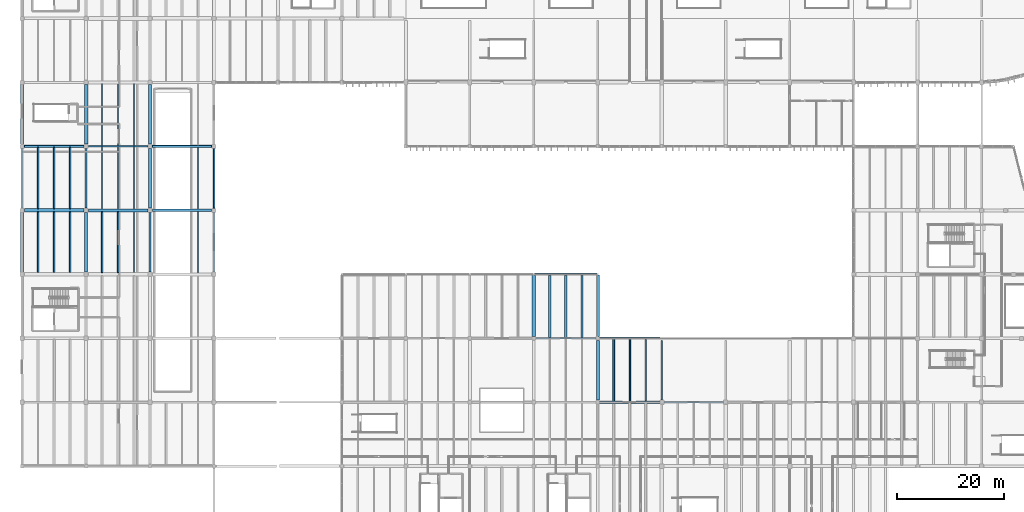
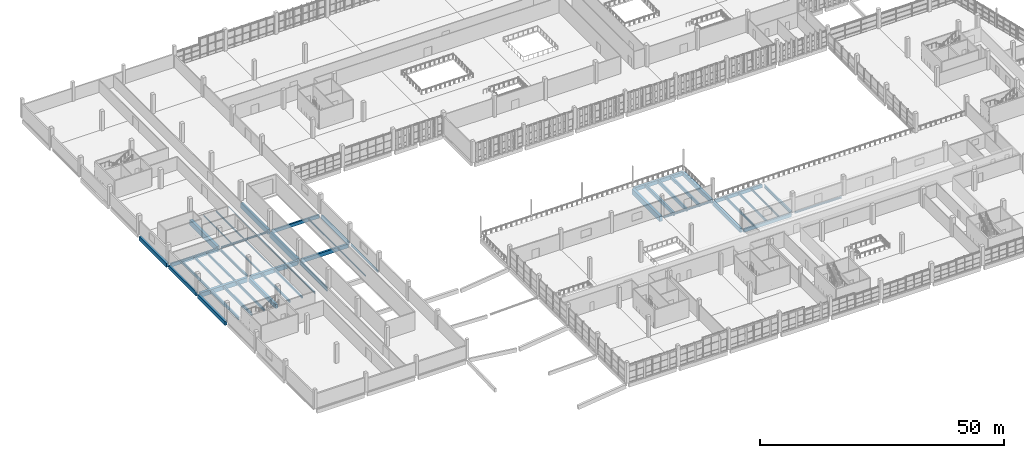
# One storey, part 25 of 112: 49 beams.
"""IFC4 building model written with IfcOpenShell, lengths in metres."""

import ifcopenshell
import ifcopenshell.guid

model = None  # the IFC model being written
_history = None  # IfcOwnerHistory: only IFC2X3 demands one
_inside = {}  # id of a spatial element -> (the spatial element, [elements in it])
_under = {}  # id of a project, library or spatial element -> (it, [spatial elements below it])
_declared = {}  # id of a project -> (the project, [libraries it declares])
_typed = {}  # id of a type object -> (the type object, [elements of that type])
_made_of = {}  # id of a material, layer set ... -> (it, [elements and type objects made of it])


def new_model(schema):
    """Start an empty IFC model of exactly this schema.

    Asked for "IFC4X3", IfcOpenShell would pick the latest addendum, in which some entities
    have other attributes; the version numbers below select the first issue.
    IFC2X3 requires an IfcOwnerHistory on every rooted entity: one is made here for all.
    """
    global model, _history
    if schema == "IFC4X3":
        model = ifcopenshell.file(schema_version=(4, 3, 0, 0))
    else:
        model = ifcopenshell.file(schema=schema)
    _inside.clear()
    _under.clear()
    _declared.clear()
    _typed.clear()
    _made_of.clear()
    _history = None
    if model.schema == "IFC2X3":
        org = make("IfcOrganization", Name="unknown")
        user = make(
            "IfcPersonAndOrganization",
            ThePerson=make("IfcPerson", FamilyName="unknown"),
            TheOrganization=org,
        )
        app = make(
            "IfcApplication",
            ApplicationDeveloper=org,
            Version="unknown",
            ApplicationFullName="unknown",
            ApplicationIdentifier="unknown",
        )
        _history = make(
            "IfcOwnerHistory",
            OwningUser=user,
            OwningApplication=app,
            ChangeAction="ADDED",
            CreationDate=0,
        )
    return model


def make(cls, **values):
    """One entity of the class cls with the attributes given. An attribute that is None is left unset."""
    return model.create_entity(
        cls, **{name: value for name, value in values.items() if value is not None}
    )


def rooted(cls, **values):
    """An entity with a GlobalId (a new one), such as an element, a storey or a relation."""
    return make(cls, GlobalId=ifcopenshell.guid.new(), OwnerHistory=_history, **values)


def si_unit(unit_type, name, prefix=None):
    """IfcSIUnit, for example si_unit("LENGTHUNIT", "METRE", prefix="MILLI")."""
    return make("IfcSIUnit", UnitType=unit_type, Prefix=prefix, Name=name)


def assignment(units):
    """IfcUnitAssignment: the units of a project."""
    return None if units is None else make("IfcUnitAssignment", Units=units)


def point(xyz):
    """IfcCartesianPoint."""
    return None if xyz is None else make("IfcCartesianPoint", Coordinates=xyz)


def direction(xyz):
    """IfcDirection."""
    return None if xyz is None else make("IfcDirection", DirectionRatios=xyz)


def frame(location, z_axis=None, x_axis=None):
    """IfcAxis2Placement3D, a coordinate frame: its origin and axes. An axis left out is left unset."""
    return make(
        "IfcAxis2Placement3D",
        Location=point(location),
        Axis=direction(z_axis),
        RefDirection=direction(x_axis),
    )


def frame_2d(location, x_axis=None):
    """IfcAxis2Placement2D, a coordinate frame in the plane: its origin and x axis."""
    return make(
        "IfcAxis2Placement2D", Location=point(location), RefDirection=direction(x_axis)
    )


def origin():
    """The frame at (0, 0, 0) with its axes left unset."""
    return frame((0.0, 0.0, 0.0))


def origin_2d():
    """The frame at (0, 0) in the plane with its x axis left unset."""
    return frame_2d((0.0, 0.0))


def place(relative_to, where):
    """IfcLocalPlacement: puts the frame where relative to a parent placement (None: the world)."""
    return make(
        "IfcLocalPlacement", PlacementRelTo=relative_to, RelativePlacement=where
    )


def context(
    kind, dimensions, precision=None, world=None, true_north=None, identifier=None
):
    """IfcGeometricRepresentationContext, for example the 3D "Model" context."""
    return make(
        "IfcGeometricRepresentationContext",
        ContextIdentifier=identifier,
        ContextType=kind,
        CoordinateSpaceDimension=dimensions,
        Precision=precision,
        WorldCoordinateSystem=world,
        TrueNorth=true_north,
    )


def subcontext(parent, identifier, kind, view, scale=None):
    """IfcGeometricRepresentationSubContext, for example "Body" below "Model"."""
    return make(
        "IfcGeometricRepresentationSubContext",
        ContextIdentifier=identifier,
        ContextType=kind,
        ParentContext=parent,
        TargetScale=scale,
        TargetView=view,
    )


def project(units=None, contexts=None):
    """IfcProject with its units and contexts."""
    return rooted(
        "IfcProject",
        Name="project",
        RepresentationContexts=contexts,
        UnitsInContext=assignment(units),
    )


def spatial(cls, under=None, at=None, **own):
    """A site, building, storey or space (cls), placed at a placement, below another one or the project."""
    s = rooted(cls, ObjectPlacement=at, **own)
    if under is not None:
        _under.setdefault(under.id(), (under, []))[1].append(s)
    return s


def profile(cls, at=None, kind="AREA", **sizes):
    """A parametric profile (cls). Its sizes go by their IFC names, for example OverallWidth=200.0."""
    return make(cls, ProfileType=kind, Position=at, **sizes)


def rectangle(**sizes):
    """IfcRectangleProfileDef."""
    return profile("IfcRectangleProfileDef", **sizes)


def i_section(**sizes):
    """IfcIShapeProfileDef."""
    return profile("IfcIShapeProfileDef", **sizes)


def extrude(swept, where, along, depth):
    """IfcExtrudedAreaSolid: the profile swept, set in the frame where, extruded along a direction by depth."""
    return make(
        "IfcExtrudedAreaSolid",
        SweptArea=swept,
        Position=where,
        ExtrudedDirection=direction(along),
        Depth=depth,
    )


def shape(context_of_items, identifier, shape_type, items):
    """IfcShapeRepresentation: the items that make up one representation, for example the "Body"."""
    return make(
        "IfcShapeRepresentation",
        ContextOfItems=context_of_items,
        RepresentationIdentifier=identifier,
        RepresentationType=shape_type,
        Items=items,
    )


def material(Name=None, Category=None):
    """IfcMaterial."""
    return make("IfcMaterial", Name=Name, Category=Category)


def material_profile(
    of_material, cross_section, Name=None, Category=None, Priority=None
):
    """IfcMaterialProfile: a cross section and its material."""
    return make(
        "IfcMaterialProfile",
        Name=Name,
        Material=of_material,
        Profile=cross_section,
        Priority=Priority,
        Category=Category,
    )


def profile_set(profiles, Name=None, composite=None):
    """IfcMaterialProfileSet."""
    return make(
        "IfcMaterialProfileSet",
        Name=Name,
        MaterialProfiles=profiles,
        CompositeProfile=composite,
    )


def made_of(thing, what):
    """Note that an element or type object is made of a material, layer set ...; save() writes the relation."""
    if what is not None:
        _made_of.setdefault(what.id(), (what, []))[1].append(thing)
    return thing


def type_object(cls, material=None, **own):
    """A type object (cls), such as IfcWallType, which elements share."""
    return made_of(rooted(cls, **own), material)


def element(
    cls,
    number,
    at=None,
    inside=None,
    cuts=None,
    type_object=None,
    material=None,
    context=None,
    identifier="Body",
    shape_type=None,
    held_by="IfcProductDefinitionShape",
    body=None,
    shapes=None,
    **own,
):
    """One element of the class cls, such as IfcWall. Its Tag is "e" and its number.

    at: its placement. inside: the storey or other place that contains it. cuts: it is an
    opening in that element (IfcRelVoidsElement). A single representation is given by context,
    identifier, shape_type and body (its items); several are given by shapes. held_by: the class
    of the entity that holds the representations. save() writes the other relations.
    """
    e = rooted(cls, Tag="e%d" % number, ObjectPlacement=at, **own)
    if body is not None:
        shapes = [shape(context, identifier, shape_type, body)]
    if shapes is not None:
        e.Representation = make(held_by, Representations=shapes)
    if inside is not None:
        _inside.setdefault(inside.id(), (inside, []))[1].append(e)
    if cuts is not None:
        rooted(
            "IfcRelVoidsElement", RelatingBuildingElement=cuts, RelatedOpeningElement=e
        )
    if type_object is not None:
        _typed.setdefault(type_object.id(), (type_object, []))[1].append(e)
    return made_of(e, material)


def aggregate(whole, parts):
    """IfcRelAggregates: a whole, such as a stair, and the parts it consists of."""
    return rooted("IfcRelAggregates", RelatingObject=whole, RelatedObjects=parts)


def save(model, path):
    """Write the relations noted so far, then the file.

    IfcRelAggregates (storeys below a building ...), IfcRelContainedInSpatialStructure (elements
    in a storey), IfcRelDefinesByType, IfcRelAssociatesMaterial and IfcRelDeclares: one each for
    every whole, place, type object, material and project.
    """
    for whole, parts in _under.values():
        aggregate(whole, parts)
    for where, things in _inside.values():
        rooted(
            "IfcRelContainedInSpatialStructure",
            RelatedElements=things,
            RelatingStructure=where,
        )
    for kind, things in _typed.values():
        rooted("IfcRelDefinesByType", RelatedObjects=things, RelatingType=kind)
    for what, things in _made_of.values():
        rooted("IfcRelAssociatesMaterial", RelatedObjects=things, RelatingMaterial=what)
    for by, libraries in _declared.values():
        rooted("IfcRelDeclares", RelatingContext=by, RelatedDefinitions=libraries)
    model.write(path)


model = new_model("IFC4")

# Units and contexts
model_context = context("Model", 3, precision=1e-05, world=origin(), true_north=direction((0.0, 1.0)))
body_context = subcontext(model_context, "Body", "Model", "MODEL_VIEW")
ifc_project = project(units=[si_unit("LENGTHUNIT", "METRE"), si_unit("AREAUNIT", "SQUARE_METRE"), si_unit("VOLUMEUNIT", "CUBIC_METRE"), si_unit("PLANEANGLEUNIT", "RADIAN"), si_unit("MASSUNIT", "GRAM", prefix="KILO")], contexts=[model_context])

# Site, building, storey
site_placement = place(None, origin())
site = spatial("IfcSite", under=ifc_project, at=site_placement, CompositionType="ELEMENT")
building_placement = place(site_placement, origin())
building = spatial("IfcBuilding", under=site, at=building_placement, Name="Kamomehara Wholesale Market", CompositionType="ELEMENT")
storey_placement = place(building_placement, frame((0.0, 0.0, 6.60009765625)))
storey = spatial("IfcBuildingStorey", under=building, at=storey_placement, Name="L01", CompositionType="ELEMENT", Elevation=6.60009765625)

# Beams
ifc_material_1 = material(Name="Precast concrete Fc45 (C40/50)", Category="concrete")
ifc_material_profile_1 = material_profile(ifc_material_1, rectangle(XDim=0.5, YDim=1.0, at=origin_2d()), Name="PC-GRD-500x1000")
ifc_profile_set_1 = profile_set([ifc_material_profile_1], Name="Precast concrete Fc45 (C40/50)")
beam_type_1 = type_object("IfcBeamType", Name="BM-PG1000", PredefinedType="T_BEAM", material=ifc_profile_set_1)
beam_1_placement = place(storey_placement, frame((12.0, 72.425048828125, -0.842041015625), z_axis=(0.0, 1.0, 0.0), x_axis=(-1.0, 0.0, 0.0)))
element("IfcBeam", 1, at=beam_1_placement, inside=storey, type_object=beam_type_1, Name="Beam PG-09 L01", PredefinedType="T_BEAM", context=body_context, shape_type="SweptSolid", body=[
    extrude(rectangle(XDim=0.5, YDim=1.0, at=origin_2d()), origin(), (0.0, 0.0, 1.0), 11.14990234375),
])
ifc_material_2 = material(Name="Precast concrete Fc45 (C40/50)", Category="concrete")
ifc_material_profile_2 = material_profile(ifc_material_2, rectangle(XDim=0.550048828125, YDim=1.050048828125, at=origin_2d()), Name="PC-GRD-550x1050")
ifc_profile_set_2 = profile_set([ifc_material_profile_2], Name="Precast concrete Fc45 (C40/50)")
beam_type_2 = type_object("IfcBeamType", Name="BM-PG1050", PredefinedType="T_BEAM", material=ifc_profile_set_2)
beam_2_placement = place(storey_placement, frame((12.425048828125, 84.0, -0.8671875), z_axis=(1.0, 0.0, 0.0), x_axis=(0.0, 1.0, 0.0)))
element("IfcBeam", 2, at=beam_2_placement, inside=storey, type_object=beam_type_2, Name="Beam PG-08 L01", PredefinedType="T_BEAM", context=body_context, shape_type="SweptSolid", body=[
    extrude(rectangle(XDim=0.550048828125, YDim=1.050048828125, at=origin_2d()), origin(), (0.0, 0.0, 1.0), 11.14990234375),
])
ifc_material_3 = material(Name="Precast concrete Fc45 (C40/50)", Category="concrete")
ifc_material_profile_3 = material_profile(ifc_material_3, rectangle(XDim=0.60009765625, YDim=1.10009765625, at=origin_2d()), Name="PC-GRD-600x1100")
ifc_profile_set_3 = profile_set([ifc_material_profile_3], Name="Precast concrete Fc45 (C40/50)")
beam_type_3 = type_object("IfcBeamType", Name="BM-PG1100", PredefinedType="T_BEAM", material=ifc_profile_set_3)
beam_3_placement = place(storey_placement, frame((0.425048828125, 84.0, -0.89208984375), z_axis=(1.0, 0.0, 0.0), x_axis=(0.0, 1.0, 0.0)))
element("IfcBeam", 3, at=beam_3_placement, inside=storey, type_object=beam_type_3, Name="Beam PG-07 L01", PredefinedType="T_BEAM", context=body_context, shape_type="SweptSolid", body=[
    extrude(rectangle(XDim=0.60009765625, YDim=1.10009765625, at=origin_2d()), origin(), (0.0, 0.0, 1.0), 11.14990234375),
])
ifc_material_4 = material(Name="Precast concrete Fc45 (C40/50)", Category="concrete")
ifc_material_profile_4 = material_profile(ifc_material_4, rectangle(XDim=0.60009765625, YDim=1.199951171875, at=origin_2d()), Name="PC-GRD-600x1200")
ifc_profile_set_4 = profile_set([ifc_material_profile_4], Name="Precast concrete Fc45 (C40/50)")
beam_type_4 = type_object("IfcBeamType", Name="BM-PG1200", PredefinedType="T_BEAM", material=ifc_profile_set_4)
beam_4_placement = place(storey_placement, frame((24.0, 96.425048828125, -0.942138671875), z_axis=(0.0, 1.0, 0.0), x_axis=(-1.0, 0.0, 0.0)))
element("IfcBeam", 4, at=beam_4_placement, inside=storey, type_object=beam_type_4, Name="Beam PG-05 L01", PredefinedType="T_BEAM", context=body_context, shape_type="SweptSolid", body=[
    extrude(rectangle(XDim=0.60009765625, YDim=1.199951171875, at=origin_2d()), origin(), (0.0, 0.0, 1.0), 11.14990234375),
])
ifc_material_5 = material(Name="Precast concrete Fc45 (C40/50)", Category="concrete")
ifc_material_profile_5 = material_profile(ifc_material_5, rectangle(XDim=0.64990234375, YDim=1.35009765625, at=origin_2d()), Name="PC-GRD-650x1350")
ifc_profile_set_5 = profile_set([ifc_material_profile_5], Name="Precast concrete Fc45 (C40/50)")
beam_type_5 = type_object("IfcBeamType", Name="BM-PG1350", PredefinedType="T_BEAM", material=ifc_profile_set_5)
beam_5_placement = place(storey_placement, frame((96.0, 60.375, -1.01220703125), z_axis=(0.0, 1.0, 0.0), x_axis=(-1.0, 0.0, 0.0)))
element("IfcBeam", 5, at=beam_5_placement, inside=storey, type_object=beam_type_5, Name="Beam PG-03 L01", PredefinedType="T_BEAM", context=body_context, shape_type="SweptSolid", body=[
    extrude(rectangle(XDim=0.64990234375, YDim=1.35009765625, at=origin_2d()), origin(), (0.0, 0.0, 1.0), 11.47509765625),
])
for number, where, z_axis, x_axis, name in (
    (6, (24.0, 84.425048828125, -1.01708984375), (0.0, 1.0, 0.0), (-1.0, 0.0, 0.0), "Beam PG-03 L01"),
    (7, (12.0, 96.425048828125, -1.01708984375), (0.0, 1.0, 0.0), (-1.0, 0.0, 0.0), "Beam PG-03 L01"),
):
    element("IfcBeam", number, at=place(storey_placement, frame(where, z_axis=z_axis, x_axis=x_axis)), inside=storey, type_object=beam_type_5, Name=name, PredefinedType="T_BEAM", context=body_context, shape_type="SweptSolid", body=[
        extrude(rectangle(XDim=0.64990234375, YDim=1.35009765625, at=origin_2d()), origin(), (0.0, 0.0, 1.0), 11.14990234375),
    ])
ifc_material_6 = material(Name="Precast concrete Fc45 (C40/50)", Category="concrete")
ifc_material_profile_6 = material_profile(ifc_material_6, rectangle(XDim=0.5, YDim=0.89990234375, at=origin_2d()), Name="PC-GRD-500x900")
ifc_profile_set_6 = profile_set([ifc_material_profile_6], Name="Precast concrete Fc45 (C40/50)")
beam_type_6 = type_object("IfcBeamType", Name="BM-PG900", PredefinedType="T_BEAM", material=ifc_profile_set_6)
beam_6_placement = place(storey_placement, frame((96.14990234375, 72.0, -0.787109375), z_axis=(1.0, 0.0, 0.0), x_axis=(0.0, 1.0, 0.0)))
element("IfcBeam", 8, at=beam_6_placement, inside=storey, type_object=beam_type_6, Name="Beam PG-10 L01", PredefinedType="T_BEAM", context=body_context, shape_type="SweptSolid", body=[
    extrude(rectangle(XDim=0.5, YDim=0.89990234375, at=origin_2d()), origin(), (0.0, 0.0, 1.0), 11.7001953125),
])
ifc_material_7 = material(Name="Precast concrete Fc45 (C40/50)", Category="concrete")
ifc_material_profile_7 = material_profile(ifc_material_7, rectangle(XDim=0.47998046875, YDim=0.949951171875, at=origin_2d()), Name="PC-GRD-480x950")
ifc_profile_set_7 = profile_set([ifc_material_profile_7], Name="Precast concrete Fc45 (C40/50)")
beam_type_7 = type_object("IfcBeamType", Name="BM-PG950", PredefinedType="T_BEAM", material=ifc_profile_set_7)
beam_7_placement = place(storey_placement, frame((24.425048828125, 84.0, -0.817138671875), z_axis=(1.0, 0.0, 0.0), x_axis=(0.0, 1.0, 0.0)))
element("IfcBeam", 9, at=beam_7_placement, inside=storey, type_object=beam_type_7, Name="Beam PG-16 L01", PredefinedType="T_BEAM", context=body_context, shape_type="SweptSolid", body=[
    extrude(rectangle(XDim=0.47998046875, YDim=0.949951171875, at=origin_2d()), origin(), (0.0, 0.0, 1.0), 11.14990234375),
])
ifc_material_8 = material(Name="Precast concrete Fc45 (C40/50)", Category="concrete")
ifc_material_profile_8 = material_profile(ifc_material_8, rectangle(XDim=0.280029296875, YDim=0.5, at=origin_2d()), Name="PC-JST-280x500")
ifc_profile_set_8 = profile_set([ifc_material_profile_8], Name="Precast concrete Fc45 (C40/50)")
beam_type_8 = type_object("IfcBeamType", Name="BM-PJ500", PredefinedType="JOIST", material=ifc_profile_set_8)
beam_8_placement = place(storey_placement, frame((9.0, 84.300048828125, -0.592041015625), z_axis=(0.0, 1.0, 0.0), x_axis=(-1.0, 0.0, 0.0)))
element("IfcBeam", 10, at=beam_8_placement, inside=storey, type_object=beam_type_8, Name="Beam PJ-11 L01", PredefinedType="JOIST", context=body_context, shape_type="SweptSolid", body=[
    extrude(rectangle(XDim=0.280029296875, YDim=0.5, at=origin_2d()), origin(), (0.0, 0.0, 1.0), 11.52490234375),
])
beam_9_placement = place(storey_placement, frame((18.0, 72.300048828125, -0.592041015625), z_axis=(0.0, 1.0, 0.0), x_axis=(-1.0, 0.0, 0.0)))
element("IfcBeam", 11, at=beam_9_placement, inside=storey, type_object=beam_type_8, Name="Beam PJ-11 L01", PredefinedType="JOIST", context=body_context, shape_type="SweptSolid", body=[
    extrude(rectangle(XDim=0.280029296875, YDim=0.5, at=origin_2d()), origin(), (0.0, 0.0, 1.0), 11.425048828125),
])
beam_10_placement = place(storey_placement, frame((114.0, 48.175048828125, -0.59716796875), z_axis=(0.0, 1.0, 0.0), x_axis=(-1.0, 0.0, 0.0)))
element("IfcBeam", 12, at=beam_10_placement, inside=storey, type_object=beam_type_8, Name="Beam PJ-11 L01", PredefinedType="JOIST", context=body_context, shape_type="SweptSolid", body=[
    extrude(rectangle(XDim=0.280029296875, YDim=0.5, at=origin_2d()), origin(), (0.0, 0.0, 1.0), 11.64990234375),
])
ifc_material_9 = material(Name="Precast concrete Fc45 (C40/50)", Category="concrete")
ifc_material_profile_9 = material_profile(ifc_material_9, rectangle(XDim=0.300048828125, YDim=0.550048828125, at=origin_2d()), Name="PC-JST-300x550")
ifc_profile_set_9 = profile_set([ifc_material_profile_9], Name="Precast concrete Fc45 (C40/50)")
beam_type_9 = type_object("IfcBeamType", Name="BM-PJ550", PredefinedType="JOIST", material=ifc_profile_set_9)
beam_11_placement = place(storey_placement, frame((6.0, 84.300048828125, -0.6171875), z_axis=(0.0, 1.0, 0.0), x_axis=(-1.0, 0.0, 0.0)))
element("IfcBeam", 13, at=beam_11_placement, inside=storey, type_object=beam_type_9, Name="Beam PJ-06 L01", PredefinedType="JOIST", context=body_context, shape_type="SweptSolid", body=[
    extrude(rectangle(XDim=0.300048828125, YDim=0.550048828125, at=origin_2d()), origin(), (0.0, 0.0, 1.0), 11.52490234375),
])
beam_12_placement = place(storey_placement, frame((15.0, 72.300048828125, -0.6171875), z_axis=(0.0, 1.0, 0.0), x_axis=(-1.0, 0.0, 0.0)))
element("IfcBeam", 14, at=beam_12_placement, inside=storey, type_object=beam_type_9, Name="Beam PJ-06 L01", PredefinedType="JOIST", context=body_context, shape_type="SweptSolid", body=[
    extrude(rectangle(XDim=0.300048828125, YDim=0.550048828125, at=origin_2d()), origin(), (0.0, 0.0, 1.0), 11.425048828125),
])
beam_13_placement = place(storey_placement, frame((111.0, 48.175048828125, -0.6220703125), z_axis=(0.0, 1.0, 0.0), x_axis=(-1.0, 0.0, 0.0)))
element("IfcBeam", 15, at=beam_13_placement, inside=storey, type_object=beam_type_9, Name="Beam PJ-06 L01", PredefinedType="JOIST", context=body_context, shape_type="SweptSolid", body=[
    extrude(rectangle(XDim=0.300048828125, YDim=0.550048828125, at=origin_2d()), origin(), (0.0, 0.0, 1.0), 11.64990234375),
])
ifc_material_10 = material(Name="Precast concrete Fc45 (C40/50)", Category="concrete")
ifc_material_profile_10 = material_profile(ifc_material_10, rectangle(XDim=0.320068359375, YDim=0.60009765625, at=origin_2d()), Name="PC-JST-320x600")
ifc_profile_set_10 = profile_set([ifc_material_profile_10], Name="Precast concrete Fc45 (C40/50)")
beam_type_10 = type_object("IfcBeamType", Name="BM-PJ600", PredefinedType="JOIST", material=ifc_profile_set_10)
beam_14_placement = place(storey_placement, frame((3.0, 84.300048828125, -0.64208984375), z_axis=(0.0, 1.0, 0.0), x_axis=(-1.0, 0.0, 0.0)))
element("IfcBeam", 16, at=beam_14_placement, inside=storey, type_object=beam_type_10, Name="Beam PJ-05 L01", PredefinedType="JOIST", context=body_context, shape_type="SweptSolid", body=[
    extrude(rectangle(XDim=0.320068359375, YDim=0.60009765625, at=origin_2d()), origin(), (0.0, 0.0, 1.0), 11.52490234375),
])
ifc_material_11 = material(Name="Precast concrete Fc45 (C40/50)", Category="concrete")
ifc_material_profile_11 = material_profile(ifc_material_11, rectangle(XDim=0.300048828125, YDim=0.60009765625, at=origin_2d()), Name="PC-JST-300x600")
ifc_profile_set_11 = profile_set([ifc_material_profile_11], Name="Precast concrete Fc45 (C40/50)")
beam_type_11 = type_object("IfcBeamType", Name="BM-PJ600B", PredefinedType="JOIST", material=ifc_profile_set_11)
beam_15_placement = place(storey_placement, frame((9.0, 72.340087890625, -0.64208984375), z_axis=(0.0, 1.0, 0.0), x_axis=(-1.0, 0.0, 0.0)))
element("IfcBeam", 17, at=beam_15_placement, inside=storey, type_object=beam_type_11, Name="Beam PJ-10 L01", PredefinedType="JOIST", context=body_context, shape_type="SweptSolid", body=[
    extrude(rectangle(XDim=0.300048828125, YDim=0.60009765625, at=origin_2d()), origin(), (0.0, 0.0, 1.0), 11.35986328125),
])
ifc_material_12 = material(Name="Precast concrete Fc45 (C40/50)", Category="concrete")
ifc_material_profile_12 = material_profile(ifc_material_12, rectangle(XDim=0.35009765625, YDim=0.64990234375, at=origin_2d()), Name="PC-JST-350x650")
ifc_profile_set_12 = profile_set([ifc_material_profile_12], Name="Precast concrete Fc45 (C40/50)")
beam_type_12 = type_object("IfcBeamType", Name="BM-PJ650", PredefinedType="JOIST", material=ifc_profile_set_12)
beam_16_placement = place(storey_placement, frame((6.0, 72.340087890625, -0.6669921875), z_axis=(0.0, 1.0, 0.0), x_axis=(-1.0, 0.0, 0.0)))
element("IfcBeam", 18, at=beam_16_placement, inside=storey, type_object=beam_type_12, Name="Beam PJ-04 L01", PredefinedType="JOIST", context=body_context, shape_type="SweptSolid", body=[
    extrude(rectangle(XDim=0.35009765625, YDim=0.64990234375, at=origin_2d()), origin(), (0.0, 0.0, 1.0), 11.35986328125),
])
ifc_material_13 = material(Name="Precast concrete Fc45 (C40/50)", Category="concrete")
ifc_material_profile_13 = material_profile(ifc_material_13, rectangle(XDim=0.340087890625, YDim=0.679931640625, at=origin_2d()), Name="PC-JST-340x680")
ifc_profile_set_13 = profile_set([ifc_material_profile_13], Name="Precast concrete Fc45 (C40/50)")
beam_type_13 = type_object("IfcBeamType", Name="BM-PJ680", PredefinedType="JOIST", material=ifc_profile_set_13)
beam_17_placement = place(storey_placement, frame((3.0, 72.340087890625, -0.68212890625), z_axis=(0.0, 1.0, 0.0), x_axis=(-1.0, 0.0, 0.0)))
element("IfcBeam", 19, at=beam_17_placement, inside=storey, type_object=beam_type_13, Name="Beam PJ-09 L01", PredefinedType="JOIST", context=body_context, shape_type="SweptSolid", body=[
    extrude(rectangle(XDim=0.340087890625, YDim=0.679931640625, at=origin_2d()), origin(), (0.0, 0.0, 1.0), 11.35986328125),
])
ifc_material_14 = material(Name="Precast concrete Fc45 (C40/50)", Category="concrete")
ifc_material_profile_14 = material_profile(ifc_material_14, rectangle(XDim=0.3798828125, YDim=0.75, at=origin_2d()), Name="PC-JST-380x750")
ifc_profile_set_14 = profile_set([ifc_material_profile_14], Name="Precast concrete Fc45 (C40/50)")
beam_type_14 = type_object("IfcBeamType", Name="BM-PJ750", PredefinedType="JOIST", material=ifc_profile_set_14)
beam_18_placement = place(storey_placement, frame((105.0, 60.14990234375, -0.712158203125), z_axis=(0.0, 1.0, 0.0), x_axis=(-1.0, 0.0, 0.0)))
element("IfcBeam", 20, at=beam_18_placement, inside=storey, type_object=beam_type_14, Name="Beam PJ-02 L01", PredefinedType="JOIST", context=body_context, shape_type="SweptSolid", body=[
    extrude(rectangle(XDim=0.3798828125, YDim=0.75, at=origin_2d()), origin(), (0.0, 0.0, 1.0), 11.60009765625),
])
ifc_material_15 = material(Name="Precast concrete Fc45 (C40/50)", Category="concrete")
ifc_material_profile_15 = material_profile(ifc_material_15, rectangle(XDim=0.39990234375, YDim=0.800048828125, at=origin_2d()), Name="PC-JST-400x800")
ifc_profile_set_15 = profile_set([ifc_material_profile_15], Name="Precast concrete Fc45 (C40/50)")
beam_type_15 = type_object("IfcBeamType", Name="BM-PJ800", PredefinedType="JOIST", material=ifc_profile_set_15)
beam_19_placement = place(storey_placement, frame((102.0, 60.14990234375, -0.737060546875), z_axis=(0.0, 1.0, 0.0), x_axis=(-1.0, 0.0, 0.0)))
element("IfcBeam", 21, at=beam_19_placement, inside=storey, type_object=beam_type_15, Name="Beam PJ-01 L01", PredefinedType="JOIST", context=body_context, shape_type="SweptSolid", body=[
    extrude(rectangle(XDim=0.39990234375, YDim=0.800048828125, at=origin_2d()), origin(), (0.0, 0.0, 1.0), 11.60009765625),
])
ifc_material_16 = material(Name="Precast concrete Fc45 (C40/50)", Category="concrete")
ifc_material_profile_16 = material_profile(ifc_material_16, rectangle(XDim=0.419921875, YDim=0.840087890625, at=origin_2d()), Name="PC-JST-420x840")
ifc_profile_set_16 = profile_set([ifc_material_profile_16], Name="Precast concrete Fc45 (C40/50)")
beam_type_16 = type_object("IfcBeamType", Name="BM-PJ840", PredefinedType="JOIST", material=ifc_profile_set_16)
beam_20_placement = place(storey_placement, frame((99.0, 60.14990234375, -0.757080078125), z_axis=(0.0, 1.0, 0.0), x_axis=(-1.0, 0.0, 0.0)))
element("IfcBeam", 22, at=beam_20_placement, inside=storey, type_object=beam_type_16, Name="Beam PJ-07 L01", PredefinedType="JOIST", context=body_context, shape_type="SweptSolid", body=[
    extrude(rectangle(XDim=0.419921875, YDim=0.840087890625, at=origin_2d()), origin(), (0.0, 0.0, 1.0), 11.60009765625),
])
ifc_material_17 = material(Name="Concrete Fc36 (C35/45)", Category="concrete")
ifc_material_profile_17 = material_profile(ifc_material_17, rectangle(XDim=0.550048828125, YDim=1.0, at=origin_2d()), Name="RC-SEB-550x1000")
ifc_profile_set_17 = profile_set([ifc_material_profile_17], Name="Concrete Fc36 (C35/45)")
beam_type_17 = type_object("IfcBeamType", Name="BM-SEB1000-EXT", PredefinedType="SPANDREL", material=ifc_profile_set_17)
beam_21_placement = place(storey_placement, frame((108.0, 48.375, -0.84716796875), z_axis=(0.0, 1.0, 0.0), x_axis=(-1.0, 0.0, 0.0)))
element("IfcBeam", 23, at=beam_21_placement, inside=storey, type_object=beam_type_17, Name="Beam SEB-03E L01", PredefinedType="SPANDREL", context=body_context, shape_type="SweptSolid", body=[
    extrude(rectangle(XDim=0.550048828125, YDim=1.0, at=origin_2d()), origin(), (0.0, 0.0, 1.0), 11.25),
])
beam_22_placement = place(storey_placement, frame((108.0, 60.375, -0.837158203125), z_axis=(0.0, 1.0, 0.0), x_axis=(-1.0, 0.0, 0.0)))
element("IfcBeam", 24, at=beam_22_placement, inside=storey, type_object=beam_type_17, Name="Beam SEB-03E L01", PredefinedType="SPANDREL", context=body_context, shape_type="SweptSolid", body=[
    extrude(rectangle(XDim=0.550048828125, YDim=1.0, at=origin_2d()), origin(), (0.0, 0.0, 1.0), 11.47509765625),
])
for number, where, z_axis, x_axis, name in (
    (25, (0.0, 72.425048828125, -0.842041015625), (0.0, 1.0, 0.0), (-1.0, 0.0, 0.0), "Beam SEB-03E L01"),
    (26, (0.0, 96.425048828125, -0.842041015625), (0.0, 1.0, 0.0), (-1.0, 0.0, 0.0), "Beam SEB-03E L01"),
):
    element("IfcBeam", number, at=place(storey_placement, frame(where, z_axis=z_axis, x_axis=x_axis)), inside=storey, type_object=beam_type_17, Name=name, PredefinedType="SPANDREL", context=body_context, shape_type="SweptSolid", body=[
        extrude(rectangle(XDim=0.550048828125, YDim=1.0, at=origin_2d()), origin(), (0.0, 0.0, 1.0), 11.14990234375),
    ])
ifc_material_18 = material(Name="Precast concrete Fc45 (C40/50)", Category="concrete")
ifc_material_profile_18 = material_profile(ifc_material_18, rectangle(XDim=0.35009765625, YDim=0.85009765625, at=origin_2d()), Name="PC-SPN-350x850")
ifc_profile_set_18 = profile_set([ifc_material_profile_18], Name="Precast concrete Fc45 (C40/50)")
beam_type_18 = type_object("IfcBeamType", Name="BM-SPN850-EXT", PredefinedType="SPANDREL", material=ifc_profile_set_18)
beam_23_placement = place(storey_placement, frame((108.375, 48.0, -0.772216796875), z_axis=(1.0, 0.0, 0.0), x_axis=(0.0, 1.0, 0.0)))
element("IfcBeam", 27, at=beam_23_placement, inside=storey, type_object=beam_type_18, Name="Beam SPN-02E L01", PredefinedType="SPANDREL", context=body_context, shape_type="SweptSolid", body=[
    extrude(rectangle(XDim=0.35009765625, YDim=0.85009765625, at=origin_2d()), origin(), (0.0, 0.0, 1.0), 11.199951171875),
])
beam_24_placement = place(storey_placement, frame((108.375, 60.0, -0.772216796875), z_axis=(1.0, 0.0, 0.0), x_axis=(0.0, 1.0, 0.0)))
element("IfcBeam", 28, at=beam_24_placement, inside=storey, type_object=beam_type_18, Name="Beam SPN-02E L01", PredefinedType="SPANDREL", context=body_context, shape_type="SweptSolid", body=[
    extrude(rectangle(XDim=0.35009765625, YDim=0.85009765625, at=origin_2d()), origin(), (0.0, 0.0, 1.0), 11.25),
])
for number, where, z_axis, x_axis, name in (
    (29, (36.0, 84.425048828125, -0.76708984375), (0.0, 1.0, 0.0), (-1.0, 0.0, 0.0), "Beam SPN-02E L01"),
    (30, (0.425048828125, 96.0, -0.76708984375), (1.0, 0.0, 0.0), (0.0, 1.0, 0.0), "Beam SPN-02E L01"),
    (31, (24.425048828125, 96.0, -0.76708984375), (1.0, 0.0, 0.0), (0.0, 1.0, 0.0), "Beam SPN-02E L01"),
):
    element("IfcBeam", number, at=place(storey_placement, frame(where, z_axis=z_axis, x_axis=x_axis)), inside=storey, type_object=beam_type_18, Name=name, PredefinedType="SPANDREL", context=body_context, shape_type="SweptSolid", body=[
        extrude(rectangle(XDim=0.35009765625, YDim=0.85009765625, at=origin_2d()), origin(), (0.0, 0.0, 1.0), 11.14990234375),
    ])
ifc_material_19 = material(Name="Precast concrete Fc45 (C40/50)", Category="concrete")
ifc_material_profile_19 = material_profile(ifc_material_19, rectangle(XDim=0.39990234375, YDim=0.949951171875, at=origin_2d()), Name="PC-SPN-400x950")
ifc_profile_set_19 = profile_set([ifc_material_profile_19], Name="Precast concrete Fc45 (C40/50)")
beam_type_19 = type_object("IfcBeamType", Name="BM-SPN950-EXT", PredefinedType="SPANDREL", material=ifc_profile_set_19)
beam_25_placement = place(storey_placement, frame((0.0, 84.425048828125, -0.817138671875), z_axis=(0.0, 1.0, 0.0), x_axis=(-1.0, 0.0, 0.0)))
element("IfcBeam", 32, at=beam_25_placement, inside=storey, type_object=beam_type_19, Name="Beam SPN-01E L01", PredefinedType="SPANDREL", context=body_context, shape_type="SweptSolid", body=[
    extrude(rectangle(XDim=0.39990234375, YDim=0.949951171875, at=origin_2d()), origin(), (0.0, 0.0, 1.0), 11.14990234375),
])
ifc_material_20 = material(Name="Steel SN400B", Category="steel")
ifc_material_profile_20 = material_profile(ifc_material_20, i_section(OverallWidth=0.125, OverallDepth=0.25, WebThickness=0.006103515625, FlangeThickness=0.009033203125, FilletRadius=0.008056640625, at=origin_2d()), Name="H-250x125x6x9")
ifc_profile_set_20 = profile_set([ifc_material_profile_20], Name="Steel SN400B")
beam_type_20 = type_object("IfcBeamType", Name="BM-ST-H250", PredefinedType="JOIST", material=ifc_profile_set_20)
beam_26_placement = place(storey_placement, frame((21.0, 96.14990234375, -0.467041015625), z_axis=(0.0, 1.0, 0.0), x_axis=(-1.0, 0.0, 0.0)))
element("IfcBeam", 33, at=beam_26_placement, inside=storey, type_object=beam_type_20, Name="Beam SJ-06 L01", PredefinedType="JOIST", context=body_context, shape_type="SweptSolid", body=[
    extrude(i_section(OverallWidth=0.125, OverallDepth=0.25, WebThickness=0.006103515625, FlangeThickness=0.009033203125, FilletRadius=0.008056640625, at=origin_2d()), origin(), (0.0, 0.0, 1.0), 11.5751953125),
])
ifc_material_21 = material(Name="Steel SN400B", Category="steel")
ifc_material_profile_21 = material_profile(ifc_material_21, i_section(OverallWidth=0.199951171875, OverallDepth=0.2939453125, WebThickness=0.008056640625, FlangeThickness=0.011962890625, FilletRadius=0.012939453125, at=origin_2d()), Name="H-294x200x8x12")
ifc_profile_set_21 = profile_set([ifc_material_profile_21], Name="Steel SN400B")
beam_type_21 = type_object("IfcBeamType", Name="BM-ST-H294", PredefinedType="JOIST", material=ifc_profile_set_21)
beam_27_placement = place(storey_placement, frame((18.0, 96.14990234375, -0.489013671875), z_axis=(0.0, 1.0, 0.0), x_axis=(-1.0, 0.0, 0.0)))
element("IfcBeam", 34, at=beam_27_placement, inside=storey, type_object=beam_type_21, Name="Beam SJ-09 L01", PredefinedType="JOIST", context=body_context, shape_type="SweptSolid", body=[
    extrude(i_section(OverallWidth=0.199951171875, OverallDepth=0.2939453125, WebThickness=0.008056640625, FlangeThickness=0.011962890625, FilletRadius=0.012939453125, at=origin_2d()), origin(), (0.0, 0.0, 1.0), 11.5751953125),
])
beam_28_placement = place(storey_placement, frame((33.0, 84.239990234375, -0.489013671875), z_axis=(0.0, 1.0, 0.0), x_axis=(-1.0, 0.0, 0.0)))
element("IfcBeam", 35, at=beam_28_placement, inside=storey, type_object=beam_type_21, Name="Beam SJ-09 L01", PredefinedType="JOIST", context=body_context, shape_type="SweptSolid", body=[
    extrude(i_section(OverallWidth=0.199951171875, OverallDepth=0.2939453125, WebThickness=0.008056640625, FlangeThickness=0.011962890625, FilletRadius=0.012939453125, at=origin_2d()), origin(), (0.0, 0.0, 1.0), 11.5849609375),
])
ifc_material_22 = material(Name="Steel SN400B", Category="steel")
ifc_material_profile_22 = material_profile(ifc_material_22, i_section(OverallWidth=0.14990234375, OverallDepth=0.300048828125, WebThickness=0.006591796875, FlangeThickness=0.009033203125, FilletRadius=0.012939453125, at=origin_2d()), Name="H-300x150x6.5x9")
ifc_profile_set_22 = profile_set([ifc_material_profile_22], Name="Steel SN400B")
beam_type_22 = type_object("IfcBeamType", Name="BM-ST-H300", PredefinedType="JOIST", material=ifc_profile_set_22)
beam_29_placement = place(storey_placement, frame((15.0, 96.14990234375, -0.4921875), z_axis=(0.0, 1.0, 0.0), x_axis=(-1.0, 0.0, 0.0)))
element("IfcBeam", 36, at=beam_29_placement, inside=storey, type_object=beam_type_22, Name="Beam SJ-05 L01", PredefinedType="JOIST", context=body_context, shape_type="SweptSolid", body=[
    extrude(i_section(OverallWidth=0.14990234375, OverallDepth=0.300048828125, WebThickness=0.006591796875, FlangeThickness=0.009033203125, FilletRadius=0.012939453125, at=origin_2d()), origin(), (0.0, 0.0, 1.0), 11.5751953125),
])
beam_30_placement = place(storey_placement, frame((33.0, 72.27490234375, -0.4921875), z_axis=(0.0, 1.0, 0.0), x_axis=(-1.0, 0.0, 0.0)))
element("IfcBeam", 37, at=beam_30_placement, inside=storey, type_object=beam_type_22, Name="Beam SJ-05 L01", PredefinedType="JOIST", context=body_context, shape_type="SweptSolid", body=[
    extrude(i_section(OverallWidth=0.14990234375, OverallDepth=0.300048828125, WebThickness=0.006591796875, FlangeThickness=0.009033203125, FilletRadius=0.012939453125, at=origin_2d()), origin(), (0.0, 0.0, 1.0), 11.485107421875),
])
ifc_material_23 = material(Name="Steel SN490B", Category="steel")
ifc_material_profile_23 = material_profile(ifc_material_23, i_section(OverallWidth=0.25, OverallDepth=0.340087890625, WebThickness=0.009033203125, FlangeThickness=0.013916015625, FilletRadius=0.012939453125, at=origin_2d()), Name="H-340x250x9x14")
ifc_profile_set_23 = profile_set([ifc_material_profile_23], Name="Steel SN490B")
beam_type_23 = type_object("IfcBeamType", Name="BM-ST-H340", PredefinedType="JOIST", material=ifc_profile_set_23)
beam_31_placement = place(storey_placement, frame((21.0, 84.27490234375, -0.51220703125), z_axis=(0.0, 1.0, 0.0), x_axis=(-1.0, 0.0, 0.0)))
element("IfcBeam", 38, at=beam_31_placement, inside=storey, type_object=beam_type_23, Name="Beam SJ-08 L01", PredefinedType="JOIST", context=body_context, shape_type="SweptSolid", body=[
    extrude(i_section(OverallWidth=0.25, OverallDepth=0.340087890625, WebThickness=0.009033203125, FlangeThickness=0.013916015625, FilletRadius=0.012939453125, at=origin_2d()), origin(), (0.0, 0.0, 1.0), 11.5751953125),
])
ifc_material_24 = material(Name="Steel SN400B", Category="steel")
ifc_material_profile_24 = material_profile(ifc_material_24, i_section(OverallWidth=0.175048828125, OverallDepth=0.35009765625, WebThickness=0.007080078125, FlangeThickness=0.010986328125, FilletRadius=0.012939453125, at=origin_2d()), Name="H-350x175x7x11")
ifc_profile_set_24 = profile_set([ifc_material_profile_24], Name="Steel SN400B")
beam_type_24 = type_object("IfcBeamType", Name="BM-ST-H350", PredefinedType="JOIST", material=ifc_profile_set_24)
beam_32_placement = place(storey_placement, frame((18.0, 84.27490234375, -0.51708984375), z_axis=(0.0, 1.0, 0.0), x_axis=(-1.0, 0.0, 0.0)))
element("IfcBeam", 39, at=beam_32_placement, inside=storey, type_object=beam_type_24, Name="Beam SJ-04 L01", PredefinedType="JOIST", context=body_context, shape_type="SweptSolid", body=[
    extrude(i_section(OverallWidth=0.175048828125, OverallDepth=0.35009765625, WebThickness=0.007080078125, FlangeThickness=0.010986328125, FilletRadius=0.012939453125, at=origin_2d()), origin(), (0.0, 0.0, 1.0), 11.5751953125),
])
ifc_material_25 = material(Name="Steel SN490B", Category="steel")
ifc_material_profile_25 = material_profile(ifc_material_25, i_section(OverallWidth=0.300048828125, OverallDepth=0.389892578125, WebThickness=0.010009765625, FlangeThickness=0.01611328125, FilletRadius=0.01806640625, at=origin_2d()), Name="H-390x300x10x16")
ifc_profile_set_25 = profile_set([ifc_material_profile_25], Name="Steel SN490B")
beam_type_25 = type_object("IfcBeamType", Name="BM-ST-H390-EXT", PredefinedType="SPANDREL", material=ifc_profile_set_25)
beam_33_placement = place(storey_placement, frame((120.425048828125, 48.0, -0.5419921875), z_axis=(1.0, 0.0, 0.0), x_axis=(0.0, 1.0, 0.0)))
element("IfcBeam", 40, at=beam_33_placement, inside=storey, type_object=beam_type_25, Name="Beam SJ-03E L01", PredefinedType="SPANDREL", context=body_context, shape_type="SweptSolid", body=[
    extrude(i_section(OverallWidth=0.300048828125, OverallDepth=0.389892578125, WebThickness=0.010009765625, FlangeThickness=0.01611328125, FilletRadius=0.01806640625, at=origin_2d()), origin(), (0.0, 0.0, 1.0), 11.14990234375),
])
beam_34_placement = place(storey_placement, frame((96.375, 60.0, -0.531982421875), z_axis=(1.0, 0.0, 0.0), x_axis=(0.0, 1.0, 0.0)))
element("IfcBeam", 41, at=beam_34_placement, inside=storey, type_object=beam_type_25, Name="Beam SJ-03E L01", PredefinedType="SPANDREL", context=body_context, shape_type="SweptSolid", body=[
    extrude(i_section(OverallWidth=0.300048828125, OverallDepth=0.389892578125, WebThickness=0.010009765625, FlangeThickness=0.01611328125, FilletRadius=0.01806640625, at=origin_2d()), origin(), (0.0, 0.0, 1.0), 11.25),
])
for number, where, z_axis, x_axis, name in (
    (42, (36.0, 72.425048828125, -0.537109375), (0.0, 1.0, 0.0), (-1.0, 0.0, 0.0), "Beam SJ-03E L01"),
    (43, (12.425048828125, 96.0, -0.537109375), (1.0, 0.0, 0.0), (0.0, 1.0, 0.0), "Beam SJ-03E L01"),
):
    element("IfcBeam", number, at=place(storey_placement, frame(where, z_axis=z_axis, x_axis=x_axis)), inside=storey, type_object=beam_type_25, Name=name, PredefinedType="SPANDREL", context=body_context, shape_type="SweptSolid", body=[
        extrude(i_section(OverallWidth=0.300048828125, OverallDepth=0.389892578125, WebThickness=0.010009765625, FlangeThickness=0.01611328125, FilletRadius=0.01806640625, at=origin_2d()), origin(), (0.0, 0.0, 1.0), 11.14990234375),
    ])
ifc_material_26 = material(Name="Steel SN400B", Category="steel")
ifc_material_profile_26 = material_profile(ifc_material_26, i_section(OverallWidth=0.199951171875, OverallDepth=0.39990234375, WebThickness=0.008056640625, FlangeThickness=0.012939453125, FilletRadius=0.012939453125, at=origin_2d()), Name="H-400x200x8x13")
ifc_profile_set_26 = profile_set([ifc_material_profile_26], Name="Steel SN400B")
beam_type_26 = type_object("IfcBeamType", Name="BM-ST-H400", PredefinedType="JOIST", material=ifc_profile_set_26)
beam_35_placement = place(storey_placement, frame((15.0, 84.27490234375, -0.5419921875), z_axis=(0.0, 1.0, 0.0), x_axis=(-1.0, 0.0, 0.0)))
element("IfcBeam", 44, at=beam_35_placement, inside=storey, type_object=beam_type_26, Name="Beam SJ-02 L01", PredefinedType="JOIST", context=body_context, shape_type="SweptSolid", body=[
    extrude(i_section(OverallWidth=0.199951171875, OverallDepth=0.39990234375, WebThickness=0.008056640625, FlangeThickness=0.012939453125, FilletRadius=0.012939453125, at=origin_2d()), origin(), (0.0, 0.0, 1.0), 11.5751953125),
])
ifc_material_27 = material(Name="Steel SN400B", Category="steel")
ifc_material_profile_27 = material_profile(ifc_material_27, i_section(OverallWidth=0.199951171875, OverallDepth=0.449951171875, WebThickness=0.009033203125, FlangeThickness=0.013916015625, FilletRadius=0.012939453125, at=origin_2d()), Name="H-450x200x9x14")
ifc_profile_set_27 = profile_set([ifc_material_profile_27], Name="Steel SN400B")
beam_type_27 = type_object("IfcBeamType", Name="BM-ST-H450", PredefinedType="JOIST", material=ifc_profile_set_27)
beam_36_placement = place(storey_placement, frame((21.0, 72.300048828125, -0.567138671875), z_axis=(0.0, 1.0, 0.0), x_axis=(-1.0, 0.0, 0.0)))
element("IfcBeam", 45, at=beam_36_placement, inside=storey, type_object=beam_type_27, Name="Beam SJ-01 L01", PredefinedType="JOIST", context=body_context, shape_type="SweptSolid", body=[
    extrude(i_section(OverallWidth=0.199951171875, OverallDepth=0.449951171875, WebThickness=0.009033203125, FlangeThickness=0.013916015625, FilletRadius=0.012939453125, at=origin_2d()), origin(), (0.0, 0.0, 1.0), 11.425048828125),
])
beam_37_placement = place(storey_placement, frame((117.0, 48.175048828125, -0.572021484375), z_axis=(0.0, 1.0, 0.0), x_axis=(-1.0, 0.0, 0.0)))
element("IfcBeam", 46, at=beam_37_placement, inside=storey, type_object=beam_type_27, Name="Beam SJ-01 L01", PredefinedType="JOIST", context=body_context, shape_type="SweptSolid", body=[
    extrude(i_section(OverallWidth=0.199951171875, OverallDepth=0.449951171875, WebThickness=0.009033203125, FlangeThickness=0.013916015625, FilletRadius=0.012939453125, at=origin_2d()), origin(), (0.0, 0.0, 1.0), 11.64990234375),
])
ifc_material_28 = material(Name="Steel SN490B", Category="steel")
ifc_material_profile_28 = material_profile(ifc_material_28, i_section(OverallWidth=0.300048828125, OverallDepth=0.58203125, WebThickness=0.011962890625, FlangeThickness=0.01708984375, FilletRadius=0.02197265625, at=origin_2d()), Name="H-582x300x12x17")
ifc_profile_set_28 = profile_set([ifc_material_profile_28], Name="Steel SN490B")
beam_type_28 = type_object("IfcBeamType", Name="BM-ST-H582", PredefinedType="BEAM", material=ifc_profile_set_28)
beam_38_placement = place(storey_placement, frame((12.0, 84.425048828125, -0.633056640625), z_axis=(0.0, 1.0, 0.0), x_axis=(-1.0, 0.0, 0.0)))
element("IfcBeam", 47, at=beam_38_placement, inside=storey, type_object=beam_type_28, Name="Beam SG-10 L01", PredefinedType="BEAM", context=body_context, shape_type="SweptSolid", body=[
    extrude(i_section(OverallWidth=0.300048828125, OverallDepth=0.58203125, WebThickness=0.011962890625, FlangeThickness=0.01708984375, FilletRadius=0.02197265625, at=origin_2d()), origin(), (0.0, 0.0, 1.0), 11.14990234375),
])
ifc_material_29 = material(Name="Steel SN490B", Category="steel")
ifc_material_profile_29 = material_profile(ifc_material_29, i_section(OverallWidth=0.300048828125, OverallDepth=0.7919921875, WebThickness=0.013916015625, FlangeThickness=0.02197265625, FilletRadius=0.02392578125, at=origin_2d()), Name="H-792x300x14x22")
ifc_profile_set_29 = profile_set([ifc_material_profile_29], Name="Steel SN490B")
beam_type_29 = type_object("IfcBeamType", Name="BM-ST-H792", PredefinedType="BEAM", material=ifc_profile_set_29)
beam_39_placement = place(storey_placement, frame((120.0, 48.425048828125, -0.7431640625), z_axis=(0.0, 1.0, 0.0), x_axis=(-1.0, 0.0, 0.0)))
element("IfcBeam", 48, at=beam_39_placement, inside=storey, type_object=beam_type_29, Name="Beam SG-09 L01", PredefinedType="BEAM", context=body_context, shape_type="SweptSolid", body=[
    extrude(i_section(OverallWidth=0.300048828125, OverallDepth=0.7919921875, WebThickness=0.013916015625, FlangeThickness=0.02197265625, FilletRadius=0.02392578125, at=origin_2d()), origin(), (0.0, 0.0, 1.0), 11.199951171875),
])
ifc_material_30 = material(Name="Steel SN490B", Category="steel")
ifc_material_profile_30 = material_profile(ifc_material_30, i_section(OverallWidth=0.300048828125, OverallDepth=0.89990234375, WebThickness=0.01611328125, FlangeThickness=0.028076171875, FilletRadius=0.02392578125, at=origin_2d()), Name="H-900x300x16x28")
ifc_profile_set_30 = profile_set([ifc_material_profile_30], Name="Steel SN490B")
beam_type_30 = type_object("IfcBeamType", Name="BM-ST-H900", PredefinedType="BEAM", material=ifc_profile_set_30)
beam_40_placement = place(storey_placement, frame((24.0, 72.425048828125, -0.7919921875), z_axis=(0.0, 1.0, 0.0), x_axis=(-1.0, 0.0, 0.0)))
element("IfcBeam", 49, at=beam_40_placement, inside=storey, type_object=beam_type_30, Name="Beam SG-01 L01", PredefinedType="BEAM", context=body_context, shape_type="SweptSolid", body=[
    extrude(i_section(OverallWidth=0.300048828125, OverallDepth=0.89990234375, WebThickness=0.01611328125, FlangeThickness=0.028076171875, FilletRadius=0.02392578125, at=origin_2d()), origin(), (0.0, 0.0, 1.0), 11.14990234375),
])

save(model, "model.ifc")
